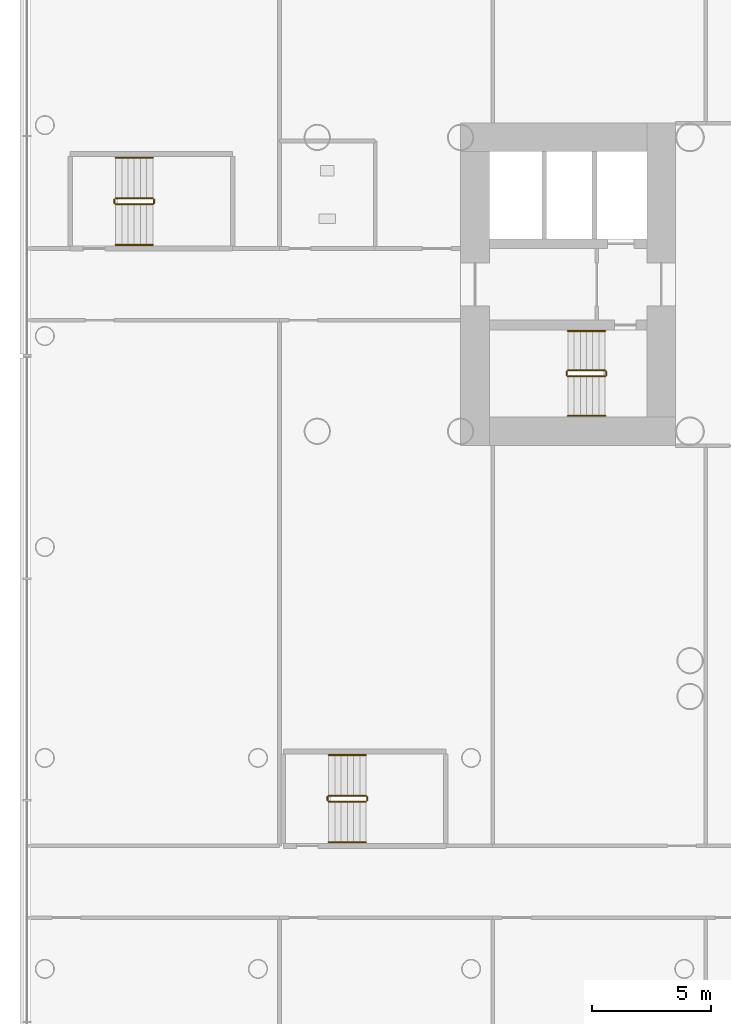
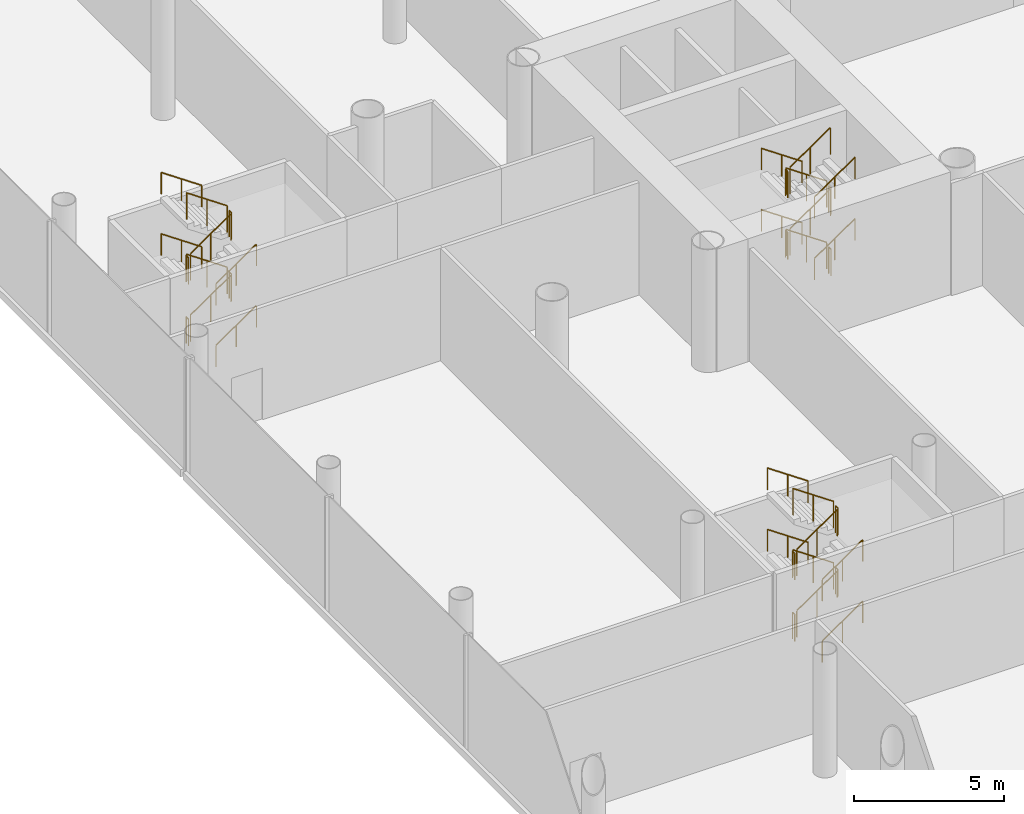
# One storey, part 50 of 59: 36 railings.
"""IFC4 building model written with IfcOpenShell, lengths in metres."""

from ifc_helpers import new_model, si_unit, direction, frame, origin, origin_2d, place, context, subcontext, project, spatial, circle, extrude, material, type_object, element, save


model = new_model("IFC4")

# Units and contexts
model_context = context("Model", 3, precision=1e-05, world=origin(), true_north=direction((0.0, 1.0)))
body_context = subcontext(model_context, "Body", "Model", "MODEL_VIEW")
ifc_project = project(units=[si_unit("LENGTHUNIT", "METRE"), si_unit("AREAUNIT", "SQUARE_METRE"), si_unit("VOLUMEUNIT", "CUBIC_METRE"), si_unit("PLANEANGLEUNIT", "RADIAN"), si_unit("MASSUNIT", "GRAM", prefix="KILO")], contexts=[model_context])

# Site, building, storey
site_placement = place(None, origin())
site = spatial("IfcSite", under=ifc_project, at=site_placement, CompositionType="ELEMENT")
building_placement = place(site_placement, origin())
building = spatial("IfcBuilding", under=site, at=building_placement, Name="Ipe Terrace Towers", CompositionType="ELEMENT")
storey_placement = place(building_placement, frame((0.0, 0.0, 6.0)))
storey = spatial("IfcBuildingStorey", under=building, at=storey_placement, Name="L01", CompositionType="ELEMENT", Elevation=6.0)

# Railings
ifc_material_1 = material(Name="Steel S355", Category="steel")
railing_type_1 = type_object("IfcRailingType", Name="Stair guard 1100", PredefinedType="GUARDRAIL", material=ifc_material_1)
railing_1_placement = place(storey_placement, frame((-45.699951171875, -3.60009765625, 0.178466796875)))
element("IfcRailing", 1, at=railing_1_placement, inside=storey, type_object=railing_type_1, Name="L01 T1-ST2 stair guard 1", PredefinedType="GUARDRAIL", context=body_context, shape_type="SweptSolid", body=[
    extrude(circle(Radius=0.02392578125, at=origin_2d()), frame((0.0, 0.0, 1.076171875), z_axis=(-0.82429025813, 0.0, 0.566167440208), x_axis=(0.0, -1.0, 0.0)), (0.0, 0.0, 1.0), 1.892578125),
    extrude(circle(Radius=0.02099609375, at=origin_2d()), origin(), (0.0, 0.0, 1.0), 1.052001953125),
    extrude(circle(Radius=0.02099609375, at=origin_2d()), frame((-0.780029296875, 0.0, 0.53564453125)), (0.0, 0.0, 1.0), 1.052001953125),
    extrude(circle(Radius=0.02099609375, at=origin_2d()), frame((-1.56005859375, 0.0, 1.071533203125)), (0.0, 0.0, 1.0), 1.052001953125),
])
railing_2_placement = place(storey_placement, frame((-47.31005859375, -3.64990234375, 1.25)))
element("IfcRailing", 2, at=railing_2_placement, inside=storey, type_object=railing_type_1, Name="L01 T1-ST2 stair guard 2", PredefinedType="GUARDRAIL", context=body_context, shape_type="SweptSolid", body=[
    extrude(circle(Radius=0.02392578125, at=origin_2d()), frame((0.0, 0.0, 1.076171875), z_axis=(0.0, -1.0, 0.0), x_axis=(1.0, 0.0, 0.0)), (0.0, 0.0, 1.0), 0.150146484375),
    extrude(circle(Radius=0.02099609375, at=origin_2d()), origin(), (0.0, 0.0, 1.0), 1.052001953125),
    extrude(circle(Radius=0.02099609375, at=origin_2d()), frame((0.0, -0.150146484375, 0.0)), (0.0, 0.0, 1.0), 1.052001953125),
])
railing_3_placement = place(storey_placement, frame((-47.260009765625, -3.85009765625, 1.428466796875)))
element("IfcRailing", 3, at=railing_3_placement, inside=storey, type_object=railing_type_1, Name="L01 T1-ST2 stair guard 3", PredefinedType="GUARDRAIL", context=body_context, shape_type="SweptSolid", body=[
    extrude(circle(Radius=0.02392578125, at=origin_2d()), frame((0.0, 0.0, 1.076171875), z_axis=(0.82429025813, 0.0, 0.566167440208), x_axis=(0.0, 1.0, 0.0)), (0.0, 0.0, 1.0), 1.892578125),
    extrude(circle(Radius=0.02099609375, at=origin_2d()), origin(), (0.0, 0.0, 1.0), 1.052001953125),
    extrude(circle(Radius=0.02099609375, at=origin_2d()), frame((0.780029296875, 0.0, 0.53564453125)), (0.0, 0.0, 1.0), 1.052001953125),
    extrude(circle(Radius=0.02099609375, at=origin_2d()), frame((1.56005859375, 0.0, 1.071533203125)), (0.0, 0.0, 1.0), 1.052001953125),
])
railing_4_placement = place(storey_placement, frame((-45.64990234375, -3.64990234375, 2.5)))
element("IfcRailing", 4, at=railing_4_placement, inside=storey, type_object=railing_type_1, Name="L01 T1-ST2 stair guard 4", PredefinedType="GUARDRAIL", context=body_context, shape_type="SweptSolid", body=[
    extrude(circle(Radius=0.02392578125, at=origin_2d()), frame((0.0, 0.0, 1.076171875), z_axis=(0.0, -1.0, 0.0), x_axis=(1.0, 0.0, 0.0)), (0.0, 0.0, 1.0), 0.150146484375),
    extrude(circle(Radius=0.02099609375, at=origin_2d()), origin(), (0.0, 0.0, 1.0), 1.052001953125),
    extrude(circle(Radius=0.02099609375, at=origin_2d()), frame((0.0, -0.150146484375, 0.0)), (0.0, 0.0, 1.0), 1.052001953125),
])
railing_5_placement = place(storey_placement, frame((-45.699951171875, -3.60009765625, 2.678466796875)))
element("IfcRailing", 5, at=railing_5_placement, inside=storey, type_object=railing_type_1, Name="L01 T1-ST2 stair guard 5", PredefinedType="GUARDRAIL", context=body_context, shape_type="SweptSolid", body=[
    extrude(circle(Radius=0.02392578125, at=origin_2d()), frame((0.0, 0.0, 1.076171875), z_axis=(-0.82429025813, 0.0, 0.566167440208), x_axis=(0.0, -1.0, 0.0)), (0.0, 0.0, 1.0), 1.892578125),
    extrude(circle(Radius=0.02099609375, at=origin_2d()), origin(), (0.0, 0.0, 1.0), 1.052001953125),
    extrude(circle(Radius=0.02099609375, at=origin_2d()), frame((-0.780029296875, 0.0, 0.53564453125)), (0.0, 0.0, 1.0), 1.052001953125),
    extrude(circle(Radius=0.02099609375, at=origin_2d()), frame((-1.56005859375, 0.0, 1.071533203125)), (0.0, 0.0, 1.0), 1.052001953125),
])
railing_6_placement = place(storey_placement, frame((-47.31005859375, -3.64990234375, 3.75)))
element("IfcRailing", 6, at=railing_6_placement, inside=storey, type_object=railing_type_1, Name="L01 T1-ST2 stair guard 6", PredefinedType="GUARDRAIL", context=body_context, shape_type="SweptSolid", body=[
    extrude(circle(Radius=0.02392578125, at=origin_2d()), frame((0.0, 0.0, 1.076171875), z_axis=(0.0, -1.0, 0.0), x_axis=(1.0, 0.0, 0.0)), (0.0, 0.0, 1.0), 0.150146484375),
    extrude(circle(Radius=0.02099609375, at=origin_2d()), origin(), (0.0, 0.0, 1.0), 1.052001953125),
    extrude(circle(Radius=0.02099609375, at=origin_2d()), frame((0.0, -0.150146484375, 0.0)), (0.0, 0.0, 1.0), 1.052001953125),
])
railing_7_placement = place(storey_placement, frame((-47.260009765625, -3.85009765625, 3.928466796875)))
element("IfcRailing", 7, at=railing_7_placement, inside=storey, type_object=railing_type_1, Name="L01 T1-ST2 stair guard 7", PredefinedType="GUARDRAIL", context=body_context, shape_type="SweptSolid", body=[
    extrude(circle(Radius=0.02392578125, at=origin_2d()), frame((0.0, 0.0, 1.076171875), z_axis=(0.82429025813, 0.0, 0.566167440208), x_axis=(0.0, 1.0, 0.0)), (0.0, 0.0, 1.0), 1.892578125),
    extrude(circle(Radius=0.02099609375, at=origin_2d()), origin(), (0.0, 0.0, 1.0), 1.052001953125),
    extrude(circle(Radius=0.02099609375, at=origin_2d()), frame((0.780029296875, 0.0, 0.53564453125)), (0.0, 0.0, 1.0), 1.052001953125),
    extrude(circle(Radius=0.02099609375, at=origin_2d()), frame((1.56005859375, 0.0, 1.071533203125)), (0.0, 0.0, 1.0), 1.052001953125),
])
railing_8_placement = place(storey_placement, frame((-45.64990234375, -3.64990234375, 0.0)))
element("IfcRailing", 8, at=railing_8_placement, inside=storey, type_object=railing_type_1, Name="L01 T1-ST2 stair guard 8", PredefinedType="GUARDRAIL", context=body_context, shape_type="SweptSolid", body=[
    extrude(circle(Radius=0.02392578125, at=origin_2d()), frame((0.0, 0.0, 1.076171875), z_axis=(0.0, -1.0, 0.0), x_axis=(1.0, 0.0, 0.0)), (0.0, 0.0, 1.0), 0.150146484375),
    extrude(circle(Radius=0.02099609375, at=origin_2d()), origin(), (0.0, 0.0, 1.0), 1.052001953125),
    extrude(circle(Radius=0.02099609375, at=origin_2d()), frame((0.0, -0.150146484375, 0.0)), (0.0, 0.0, 1.0), 1.052001953125),
])
railing_9_placement = place(storey_placement, frame((-57.27001953125, -21.64990234375, 0.178466796875)))
element("IfcRailing", 9, at=railing_9_placement, inside=storey, type_object=railing_type_1, Name="L01 PS4 stair guard 1", PredefinedType="GUARDRAIL", context=body_context, shape_type="SweptSolid", body=[
    extrude(circle(Radius=0.02392578125, at=origin_2d()), frame((0.0, 0.0, 1.076171875), z_axis=(0.82429025813, 0.0, 0.566167440208), x_axis=(0.0, 1.0, 0.0)), (0.0, 0.0, 1.0), 1.892578125),
    extrude(circle(Radius=0.02099609375, at=origin_2d()), origin(), (0.0, 0.0, 1.0), 1.052001953125),
    extrude(circle(Radius=0.02099609375, at=origin_2d()), frame((0.780029296875, 0.0, 0.53564453125)), (0.0, 0.0, 1.0), 1.052001953125),
    extrude(circle(Radius=0.02099609375, at=origin_2d()), frame((1.56005859375, 0.0, 1.071533203125)), (0.0, 0.0, 1.0), 1.052001953125),
])
railing_10_placement = place(storey_placement, frame((-55.659912109375, -21.60009765625, 1.25)))
element("IfcRailing", 10, at=railing_10_placement, inside=storey, type_object=railing_type_1, Name="L01 PS4 stair guard 2", PredefinedType="GUARDRAIL", context=body_context, shape_type="SweptSolid", body=[
    extrude(circle(Radius=0.02392578125, at=origin_2d()), frame((0.0, 0.0, 1.076171875), z_axis=(0.0, 1.0, 0.0), x_axis=(-1.0, 0.0, 0.0)), (0.0, 0.0, 1.0), 0.150146484375),
    extrude(circle(Radius=0.02099609375, at=origin_2d()), origin(), (0.0, 0.0, 1.0), 1.052001953125),
    extrude(circle(Radius=0.02099609375, at=origin_2d()), frame((0.0, 0.150146484375, 0.0)), (0.0, 0.0, 1.0), 1.052001953125),
])
railing_11_placement = place(storey_placement, frame((-55.7099609375, -21.39990234375, 1.428466796875)))
element("IfcRailing", 11, at=railing_11_placement, inside=storey, type_object=railing_type_1, Name="L01 PS4 stair guard 3", PredefinedType="GUARDRAIL", context=body_context, shape_type="SweptSolid", body=[
    extrude(circle(Radius=0.02392578125, at=origin_2d()), frame((0.0, 0.0, 1.076171875), z_axis=(-0.82429025813, 0.0, 0.566167440208), x_axis=(0.0, -1.0, 0.0)), (0.0, 0.0, 1.0), 1.892578125),
    extrude(circle(Radius=0.02099609375, at=origin_2d()), origin(), (0.0, 0.0, 1.0), 1.052001953125),
    extrude(circle(Radius=0.02099609375, at=origin_2d()), frame((-0.780029296875, 0.0, 0.53564453125)), (0.0, 0.0, 1.0), 1.052001953125),
    extrude(circle(Radius=0.02099609375, at=origin_2d()), frame((-1.56005859375, 0.0, 1.071533203125)), (0.0, 0.0, 1.0), 1.052001953125),
])
railing_12_placement = place(storey_placement, frame((-57.320068359375, -21.60009765625, 2.5)))
element("IfcRailing", 12, at=railing_12_placement, inside=storey, type_object=railing_type_1, Name="L01 PS4 stair guard 4", PredefinedType="GUARDRAIL", context=body_context, shape_type="SweptSolid", body=[
    extrude(circle(Radius=0.02392578125, at=origin_2d()), frame((0.0, 0.0, 1.076171875), z_axis=(0.0, 1.0, 0.0), x_axis=(-1.0, 0.0, 0.0)), (0.0, 0.0, 1.0), 0.150146484375),
    extrude(circle(Radius=0.02099609375, at=origin_2d()), origin(), (0.0, 0.0, 1.0), 1.052001953125),
    extrude(circle(Radius=0.02099609375, at=origin_2d()), frame((0.0, 0.150146484375, 0.0)), (0.0, 0.0, 1.0), 1.052001953125),
])
railing_13_placement = place(storey_placement, frame((-57.27001953125, -21.64990234375, 2.678466796875)))
element("IfcRailing", 13, at=railing_13_placement, inside=storey, type_object=railing_type_1, Name="L01 PS4 stair guard 5", PredefinedType="GUARDRAIL", context=body_context, shape_type="SweptSolid", body=[
    extrude(circle(Radius=0.02392578125, at=origin_2d()), frame((0.0, 0.0, 1.076171875), z_axis=(0.82429025813, 0.0, 0.566167440208), x_axis=(0.0, 1.0, 0.0)), (0.0, 0.0, 1.0), 1.892578125),
    extrude(circle(Radius=0.02099609375, at=origin_2d()), origin(), (0.0, 0.0, 1.0), 1.052001953125),
    extrude(circle(Radius=0.02099609375, at=origin_2d()), frame((0.780029296875, 0.0, 0.53564453125)), (0.0, 0.0, 1.0), 1.052001953125),
    extrude(circle(Radius=0.02099609375, at=origin_2d()), frame((1.56005859375, 0.0, 1.071533203125)), (0.0, 0.0, 1.0), 1.052001953125),
])
railing_14_placement = place(storey_placement, frame((-55.659912109375, -21.60009765625, 3.75)))
element("IfcRailing", 14, at=railing_14_placement, inside=storey, type_object=railing_type_1, Name="L01 PS4 stair guard 6", PredefinedType="GUARDRAIL", context=body_context, shape_type="SweptSolid", body=[
    extrude(circle(Radius=0.02392578125, at=origin_2d()), frame((0.0, 0.0, 1.076171875), z_axis=(0.0, 1.0, 0.0), x_axis=(-1.0, 0.0, 0.0)), (0.0, 0.0, 1.0), 0.150146484375),
    extrude(circle(Radius=0.02099609375, at=origin_2d()), origin(), (0.0, 0.0, 1.0), 1.052001953125),
    extrude(circle(Radius=0.02099609375, at=origin_2d()), frame((0.0, 0.150146484375, 0.0)), (0.0, 0.0, 1.0), 1.052001953125),
])
railing_15_placement = place(storey_placement, frame((-55.7099609375, -21.39990234375, 3.928466796875)))
element("IfcRailing", 15, at=railing_15_placement, inside=storey, type_object=railing_type_1, Name="L01 PS4 stair guard 7", PredefinedType="GUARDRAIL", context=body_context, shape_type="SweptSolid", body=[
    extrude(circle(Radius=0.02392578125, at=origin_2d()), frame((0.0, 0.0, 1.076171875), z_axis=(-0.82429025813, 0.0, 0.566167440208), x_axis=(0.0, -1.0, 0.0)), (0.0, 0.0, 1.0), 1.892578125),
    extrude(circle(Radius=0.02099609375, at=origin_2d()), origin(), (0.0, 0.0, 1.0), 1.052001953125),
    extrude(circle(Radius=0.02099609375, at=origin_2d()), frame((-0.780029296875, 0.0, 0.53564453125)), (0.0, 0.0, 1.0), 1.052001953125),
    extrude(circle(Radius=0.02099609375, at=origin_2d()), frame((-1.56005859375, 0.0, 1.071533203125)), (0.0, 0.0, 1.0), 1.052001953125),
])
railing_16_placement = place(storey_placement, frame((-57.320068359375, -21.60009765625, 0.0)))
element("IfcRailing", 16, at=railing_16_placement, inside=storey, type_object=railing_type_1, Name="L01 PS4 stair guard 8", PredefinedType="GUARDRAIL", context=body_context, shape_type="SweptSolid", body=[
    extrude(circle(Radius=0.02392578125, at=origin_2d()), frame((0.0, 0.0, 1.076171875), z_axis=(0.0, 1.0, 0.0), x_axis=(-1.0, 0.0, 0.0)), (0.0, 0.0, 1.0), 0.150146484375),
    extrude(circle(Radius=0.02099609375, at=origin_2d()), origin(), (0.0, 0.0, 1.0), 1.052001953125),
    extrude(circle(Radius=0.02099609375, at=origin_2d()), frame((0.0, 0.150146484375, 0.0)), (0.0, 0.0, 1.0), 1.052001953125),
])
railing_17_placement = place(storey_placement, frame((-66.18994140625, 3.35009765625, 0.178466796875)))
element("IfcRailing", 17, at=railing_17_placement, inside=storey, type_object=railing_type_1, Name="L01 PS7 stair guard 1", PredefinedType="GUARDRAIL", context=body_context, shape_type="SweptSolid", body=[
    extrude(circle(Radius=0.02392578125, at=origin_2d()), frame((0.0, 0.0, 1.076171875), z_axis=(0.82429025813, 0.0, 0.566167440208), x_axis=(0.0, 1.0, 0.0)), (0.0, 0.0, 1.0), 1.892578125),
    extrude(circle(Radius=0.02099609375, at=origin_2d()), origin(), (0.0, 0.0, 1.0), 1.052001953125),
    extrude(circle(Radius=0.02099609375, at=origin_2d()), frame((0.780029296875, 0.0, 0.53564453125)), (0.0, 0.0, 1.0), 1.052001953125),
    extrude(circle(Radius=0.02099609375, at=origin_2d()), frame((1.56005859375, 0.0, 1.071533203125)), (0.0, 0.0, 1.0), 1.052001953125),
])
railing_18_placement = place(storey_placement, frame((-64.580078125, 3.39990234375, 1.25)))
element("IfcRailing", 18, at=railing_18_placement, inside=storey, type_object=railing_type_1, Name="L01 PS7 stair guard 2", PredefinedType="GUARDRAIL", context=body_context, shape_type="SweptSolid", body=[
    extrude(circle(Radius=0.02392578125, at=origin_2d()), frame((0.0, 0.0, 1.076171875), z_axis=(0.0, 1.0, 0.0), x_axis=(-1.0, 0.0, 0.0)), (0.0, 0.0, 1.0), 0.150146484375),
    extrude(circle(Radius=0.02099609375, at=origin_2d()), origin(), (0.0, 0.0, 1.0), 1.052001953125),
    extrude(circle(Radius=0.02099609375, at=origin_2d()), frame((0.0, 0.150146484375, 0.0)), (0.0, 0.0, 1.0), 1.052001953125),
])
railing_19_placement = place(storey_placement, frame((-64.6298828125, 3.60009765625, 1.428466796875)))
element("IfcRailing", 19, at=railing_19_placement, inside=storey, type_object=railing_type_1, Name="L01 PS7 stair guard 3", PredefinedType="GUARDRAIL", context=body_context, shape_type="SweptSolid", body=[
    extrude(circle(Radius=0.02392578125, at=origin_2d()), frame((0.0, 0.0, 1.076171875), z_axis=(-0.82429025813, 0.0, 0.566167440208), x_axis=(0.0, -1.0, 0.0)), (0.0, 0.0, 1.0), 1.892578125),
    extrude(circle(Radius=0.02099609375, at=origin_2d()), origin(), (0.0, 0.0, 1.0), 1.052001953125),
    extrude(circle(Radius=0.02099609375, at=origin_2d()), frame((-0.780029296875, 0.0, 0.53564453125)), (0.0, 0.0, 1.0), 1.052001953125),
    extrude(circle(Radius=0.02099609375, at=origin_2d()), frame((-1.56005859375, 0.0, 1.071533203125)), (0.0, 0.0, 1.0), 1.052001953125),
])
railing_20_placement = place(storey_placement, frame((-66.239990234375, 3.39990234375, 2.5)))
element("IfcRailing", 20, at=railing_20_placement, inside=storey, type_object=railing_type_1, Name="L01 PS7 stair guard 4", PredefinedType="GUARDRAIL", context=body_context, shape_type="SweptSolid", body=[
    extrude(circle(Radius=0.02392578125, at=origin_2d()), frame((0.0, 0.0, 1.076171875), z_axis=(0.0, 1.0, 0.0), x_axis=(-1.0, 0.0, 0.0)), (0.0, 0.0, 1.0), 0.150146484375),
    extrude(circle(Radius=0.02099609375, at=origin_2d()), origin(), (0.0, 0.0, 1.0), 1.052001953125),
    extrude(circle(Radius=0.02099609375, at=origin_2d()), frame((0.0, 0.150146484375, 0.0)), (0.0, 0.0, 1.0), 1.052001953125),
])
railing_21_placement = place(storey_placement, frame((-66.18994140625, 3.35009765625, 2.678466796875)))
element("IfcRailing", 21, at=railing_21_placement, inside=storey, type_object=railing_type_1, Name="L01 PS7 stair guard 5", PredefinedType="GUARDRAIL", context=body_context, shape_type="SweptSolid", body=[
    extrude(circle(Radius=0.02392578125, at=origin_2d()), frame((0.0, 0.0, 1.076171875), z_axis=(0.82429025813, 0.0, 0.566167440208), x_axis=(0.0, 1.0, 0.0)), (0.0, 0.0, 1.0), 1.892578125),
    extrude(circle(Radius=0.02099609375, at=origin_2d()), origin(), (0.0, 0.0, 1.0), 1.052001953125),
    extrude(circle(Radius=0.02099609375, at=origin_2d()), frame((0.780029296875, 0.0, 0.53564453125)), (0.0, 0.0, 1.0), 1.052001953125),
    extrude(circle(Radius=0.02099609375, at=origin_2d()), frame((1.56005859375, 0.0, 1.071533203125)), (0.0, 0.0, 1.0), 1.052001953125),
])
railing_22_placement = place(storey_placement, frame((-64.580078125, 3.39990234375, 3.75)))
element("IfcRailing", 22, at=railing_22_placement, inside=storey, type_object=railing_type_1, Name="L01 PS7 stair guard 6", PredefinedType="GUARDRAIL", context=body_context, shape_type="SweptSolid", body=[
    extrude(circle(Radius=0.02392578125, at=origin_2d()), frame((0.0, 0.0, 1.076171875), z_axis=(0.0, 1.0, 0.0), x_axis=(-1.0, 0.0, 0.0)), (0.0, 0.0, 1.0), 0.150146484375),
    extrude(circle(Radius=0.02099609375, at=origin_2d()), origin(), (0.0, 0.0, 1.0), 1.052001953125),
    extrude(circle(Radius=0.02099609375, at=origin_2d()), frame((0.0, 0.150146484375, 0.0)), (0.0, 0.0, 1.0), 1.052001953125),
])
railing_23_placement = place(storey_placement, frame((-64.6298828125, 3.60009765625, 3.928466796875)))
element("IfcRailing", 23, at=railing_23_placement, inside=storey, type_object=railing_type_1, Name="L01 PS7 stair guard 7", PredefinedType="GUARDRAIL", context=body_context, shape_type="SweptSolid", body=[
    extrude(circle(Radius=0.02392578125, at=origin_2d()), frame((0.0, 0.0, 1.076171875), z_axis=(-0.82429025813, 0.0, 0.566167440208), x_axis=(0.0, -1.0, 0.0)), (0.0, 0.0, 1.0), 1.892578125),
    extrude(circle(Radius=0.02099609375, at=origin_2d()), origin(), (0.0, 0.0, 1.0), 1.052001953125),
    extrude(circle(Radius=0.02099609375, at=origin_2d()), frame((-0.780029296875, 0.0, 0.53564453125)), (0.0, 0.0, 1.0), 1.052001953125),
    extrude(circle(Radius=0.02099609375, at=origin_2d()), frame((-1.56005859375, 0.0, 1.071533203125)), (0.0, 0.0, 1.0), 1.052001953125),
])
railing_24_placement = place(storey_placement, frame((-66.239990234375, 3.39990234375, 0.0)))
element("IfcRailing", 24, at=railing_24_placement, inside=storey, type_object=railing_type_1, Name="L01 PS7 stair guard 8", PredefinedType="GUARDRAIL", context=body_context, shape_type="SweptSolid", body=[
    extrude(circle(Radius=0.02392578125, at=origin_2d()), frame((0.0, 0.0, 1.076171875), z_axis=(0.0, 1.0, 0.0), x_axis=(-1.0, 0.0, 0.0)), (0.0, 0.0, 1.0), 0.150146484375),
    extrude(circle(Radius=0.02099609375, at=origin_2d()), origin(), (0.0, 0.0, 1.0), 1.052001953125),
    extrude(circle(Radius=0.02099609375, at=origin_2d()), frame((0.0, 0.150146484375, 0.0)), (0.0, 0.0, 1.0), 1.052001953125),
])
ifc_material_2 = material(Name="Stainless steel grade 304", Category="steel")
railing_type_2 = type_object("IfcRailingType", Name="Stair handrail 900", PredefinedType="HANDRAIL", material=ifc_material_2)
railing_25_placement = place(storey_placement, frame((-45.699951171875, -1.949951171875, 0.178466796875)))
element("IfcRailing", 25, at=railing_25_placement, inside=storey, type_object=railing_type_2, Name="L01 T1-ST2 stair handrail 1", PredefinedType="HANDRAIL", context=body_context, shape_type="SweptSolid", body=[
    extrude(circle(Radius=0.02392578125, at=origin_2d()), frame((0.0, 0.0, 0.8759765625), z_axis=(-0.82429025813, 0.0, 0.566167440208), x_axis=(0.0, -1.0, 0.0)), (0.0, 0.0, 1.0), 1.892578125),
    extrude(circle(Radius=0.02099609375, at=origin_2d()), origin(), (0.0, 0.0, 1.0), 0.851806640625),
    extrude(circle(Radius=0.02099609375, at=origin_2d()), frame((-0.780029296875, 0.0, 0.53564453125)), (0.0, 0.0, 1.0), 0.851806640625),
    extrude(circle(Radius=0.02099609375, at=origin_2d()), frame((-1.56005859375, 0.0, 1.071533203125)), (0.0, 0.0, 1.0), 0.851806640625),
])
railing_26_placement = place(storey_placement, frame((-47.260009765625, -5.5, 1.428466796875)))
element("IfcRailing", 26, at=railing_26_placement, inside=storey, type_object=railing_type_2, Name="L01 T1-ST2 stair handrail 2", PredefinedType="HANDRAIL", context=body_context, shape_type="SweptSolid", body=[
    extrude(circle(Radius=0.02392578125, at=origin_2d()), frame((0.0, 0.0, 0.8759765625), z_axis=(0.82429025813, 0.0, 0.566167440208), x_axis=(0.0, 1.0, 0.0)), (0.0, 0.0, 1.0), 1.892578125),
    extrude(circle(Radius=0.02099609375, at=origin_2d()), origin(), (0.0, 0.0, 1.0), 0.851806640625),
    extrude(circle(Radius=0.02099609375, at=origin_2d()), frame((0.780029296875, 0.0, 0.53564453125)), (0.0, 0.0, 1.0), 0.851806640625),
    extrude(circle(Radius=0.02099609375, at=origin_2d()), frame((1.56005859375, 0.0, 1.071533203125)), (0.0, 0.0, 1.0), 0.851806640625),
])
railing_27_placement = place(storey_placement, frame((-45.699951171875, -1.949951171875, 2.678466796875)))
element("IfcRailing", 27, at=railing_27_placement, inside=storey, type_object=railing_type_2, Name="L01 T1-ST2 stair handrail 3", PredefinedType="HANDRAIL", context=body_context, shape_type="SweptSolid", body=[
    extrude(circle(Radius=0.02392578125, at=origin_2d()), frame((0.0, 0.0, 0.8759765625), z_axis=(-0.82429025813, 0.0, 0.566167440208), x_axis=(0.0, -1.0, 0.0)), (0.0, 0.0, 1.0), 1.892578125),
    extrude(circle(Radius=0.02099609375, at=origin_2d()), origin(), (0.0, 0.0, 1.0), 0.851806640625),
    extrude(circle(Radius=0.02099609375, at=origin_2d()), frame((-0.780029296875, 0.0, 0.53564453125)), (0.0, 0.0, 1.0), 0.851806640625),
    extrude(circle(Radius=0.02099609375, at=origin_2d()), frame((-1.56005859375, 0.0, 1.071533203125)), (0.0, 0.0, 1.0), 0.851806640625),
])
for number, where, name in (
    (28, (-47.260009765625, -5.5, 3.928466796875), "L01 T1-ST2 stair handrail 4"),
    (29, (-57.27001953125, -23.35009765625, 0.178466796875), "L01 PS4 stair handrail 1"),
):
    element("IfcRailing", number, at=place(storey_placement, frame(where)), inside=storey, type_object=railing_type_2, Name=name, PredefinedType="HANDRAIL", context=body_context, shape_type="SweptSolid", body=[
        extrude(circle(Radius=0.02392578125, at=origin_2d()), frame((0.0, 0.0, 0.8759765625), z_axis=(0.82429025813, 0.0, 0.566167440208), x_axis=(0.0, 1.0, 0.0)), (0.0, 0.0, 1.0), 1.892578125),
        extrude(circle(Radius=0.02099609375, at=origin_2d()), origin(), (0.0, 0.0, 1.0), 0.851806640625),
        extrude(circle(Radius=0.02099609375, at=origin_2d()), frame((0.780029296875, 0.0, 0.53564453125)), (0.0, 0.0, 1.0), 0.851806640625),
        extrude(circle(Radius=0.02099609375, at=origin_2d()), frame((1.56005859375, 0.0, 1.071533203125)), (0.0, 0.0, 1.0), 0.851806640625),
    ])
railing_28_placement = place(storey_placement, frame((-55.7099609375, -19.699951171875, 1.428466796875)))
element("IfcRailing", 30, at=railing_28_placement, inside=storey, type_object=railing_type_2, Name="L01 PS4 stair handrail 2", PredefinedType="HANDRAIL", context=body_context, shape_type="SweptSolid", body=[
    extrude(circle(Radius=0.02392578125, at=origin_2d()), frame((0.0, 0.0, 0.8759765625), z_axis=(-0.82429025813, 0.0, 0.566167440208), x_axis=(0.0, -1.0, 0.0)), (0.0, 0.0, 1.0), 1.892578125),
    extrude(circle(Radius=0.02099609375, at=origin_2d()), origin(), (0.0, 0.0, 1.0), 0.851806640625),
    extrude(circle(Radius=0.02099609375, at=origin_2d()), frame((-0.780029296875, 0.0, 0.53564453125)), (0.0, 0.0, 1.0), 0.851806640625),
    extrude(circle(Radius=0.02099609375, at=origin_2d()), frame((-1.56005859375, 0.0, 1.071533203125)), (0.0, 0.0, 1.0), 0.851806640625),
])
railing_29_placement = place(storey_placement, frame((-57.27001953125, -23.35009765625, 2.678466796875)))
element("IfcRailing", 31, at=railing_29_placement, inside=storey, type_object=railing_type_2, Name="L01 PS4 stair handrail 3", PredefinedType="HANDRAIL", context=body_context, shape_type="SweptSolid", body=[
    extrude(circle(Radius=0.02392578125, at=origin_2d()), frame((0.0, 0.0, 0.8759765625), z_axis=(0.82429025813, 0.0, 0.566167440208), x_axis=(0.0, 1.0, 0.0)), (0.0, 0.0, 1.0), 1.892578125),
    extrude(circle(Radius=0.02099609375, at=origin_2d()), origin(), (0.0, 0.0, 1.0), 0.851806640625),
    extrude(circle(Radius=0.02099609375, at=origin_2d()), frame((0.780029296875, 0.0, 0.53564453125)), (0.0, 0.0, 1.0), 0.851806640625),
    extrude(circle(Radius=0.02099609375, at=origin_2d()), frame((1.56005859375, 0.0, 1.071533203125)), (0.0, 0.0, 1.0), 0.851806640625),
])
railing_30_placement = place(storey_placement, frame((-55.7099609375, -19.699951171875, 3.928466796875)))
element("IfcRailing", 32, at=railing_30_placement, inside=storey, type_object=railing_type_2, Name="L01 PS4 stair handrail 4", PredefinedType="HANDRAIL", context=body_context, shape_type="SweptSolid", body=[
    extrude(circle(Radius=0.02392578125, at=origin_2d()), frame((0.0, 0.0, 0.8759765625), z_axis=(-0.82429025813, 0.0, 0.566167440208), x_axis=(0.0, -1.0, 0.0)), (0.0, 0.0, 1.0), 1.892578125),
    extrude(circle(Radius=0.02099609375, at=origin_2d()), origin(), (0.0, 0.0, 1.0), 0.851806640625),
    extrude(circle(Radius=0.02099609375, at=origin_2d()), frame((-0.780029296875, 0.0, 0.53564453125)), (0.0, 0.0, 1.0), 0.851806640625),
    extrude(circle(Radius=0.02099609375, at=origin_2d()), frame((-1.56005859375, 0.0, 1.071533203125)), (0.0, 0.0, 1.0), 0.851806640625),
])
railing_31_placement = place(storey_placement, frame((-66.18994140625, 1.64990234375, 0.178466796875)))
element("IfcRailing", 33, at=railing_31_placement, inside=storey, type_object=railing_type_2, Name="L01 PS7 stair handrail 1", PredefinedType="HANDRAIL", context=body_context, shape_type="SweptSolid", body=[
    extrude(circle(Radius=0.02392578125, at=origin_2d()), frame((0.0, 0.0, 0.8759765625), z_axis=(0.82429025813, 0.0, 0.566167440208), x_axis=(0.0, 1.0, 0.0)), (0.0, 0.0, 1.0), 1.892578125),
    extrude(circle(Radius=0.02099609375, at=origin_2d()), origin(), (0.0, 0.0, 1.0), 0.851806640625),
    extrude(circle(Radius=0.02099609375, at=origin_2d()), frame((0.780029296875, 0.0, 0.53564453125)), (0.0, 0.0, 1.0), 0.851806640625),
    extrude(circle(Radius=0.02099609375, at=origin_2d()), frame((1.56005859375, 0.0, 1.071533203125)), (0.0, 0.0, 1.0), 0.851806640625),
])
railing_32_placement = place(storey_placement, frame((-64.6298828125, 5.300048828125, 1.428466796875)))
element("IfcRailing", 34, at=railing_32_placement, inside=storey, type_object=railing_type_2, Name="L01 PS7 stair handrail 2", PredefinedType="HANDRAIL", context=body_context, shape_type="SweptSolid", body=[
    extrude(circle(Radius=0.02392578125, at=origin_2d()), frame((0.0, 0.0, 0.8759765625), z_axis=(-0.82429025813, 0.0, 0.566167440208), x_axis=(0.0, -1.0, 0.0)), (0.0, 0.0, 1.0), 1.892578125),
    extrude(circle(Radius=0.02099609375, at=origin_2d()), origin(), (0.0, 0.0, 1.0), 0.851806640625),
    extrude(circle(Radius=0.02099609375, at=origin_2d()), frame((-0.780029296875, 0.0, 0.53564453125)), (0.0, 0.0, 1.0), 0.851806640625),
    extrude(circle(Radius=0.02099609375, at=origin_2d()), frame((-1.56005859375, 0.0, 1.071533203125)), (0.0, 0.0, 1.0), 0.851806640625),
])
railing_33_placement = place(storey_placement, frame((-66.18994140625, 1.64990234375, 2.678466796875)))
element("IfcRailing", 35, at=railing_33_placement, inside=storey, type_object=railing_type_2, Name="L01 PS7 stair handrail 3", PredefinedType="HANDRAIL", context=body_context, shape_type="SweptSolid", body=[
    extrude(circle(Radius=0.02392578125, at=origin_2d()), frame((0.0, 0.0, 0.8759765625), z_axis=(0.82429025813, 0.0, 0.566167440208), x_axis=(0.0, 1.0, 0.0)), (0.0, 0.0, 1.0), 1.892578125),
    extrude(circle(Radius=0.02099609375, at=origin_2d()), origin(), (0.0, 0.0, 1.0), 0.851806640625),
    extrude(circle(Radius=0.02099609375, at=origin_2d()), frame((0.780029296875, 0.0, 0.53564453125)), (0.0, 0.0, 1.0), 0.851806640625),
    extrude(circle(Radius=0.02099609375, at=origin_2d()), frame((1.56005859375, 0.0, 1.071533203125)), (0.0, 0.0, 1.0), 0.851806640625),
])
railing_34_placement = place(storey_placement, frame((-64.6298828125, 5.300048828125, 3.928466796875)))
element("IfcRailing", 36, at=railing_34_placement, inside=storey, type_object=railing_type_2, Name="L01 PS7 stair handrail 4", PredefinedType="HANDRAIL", context=body_context, shape_type="SweptSolid", body=[
    extrude(circle(Radius=0.02392578125, at=origin_2d()), frame((0.0, 0.0, 0.8759765625), z_axis=(-0.82429025813, 0.0, 0.566167440208), x_axis=(0.0, -1.0, 0.0)), (0.0, 0.0, 1.0), 1.892578125),
    extrude(circle(Radius=0.02099609375, at=origin_2d()), origin(), (0.0, 0.0, 1.0), 0.851806640625),
    extrude(circle(Radius=0.02099609375, at=origin_2d()), frame((-0.780029296875, 0.0, 0.53564453125)), (0.0, 0.0, 1.0), 0.851806640625),
    extrude(circle(Radius=0.02099609375, at=origin_2d()), frame((-1.56005859375, 0.0, 1.071533203125)), (0.0, 0.0, 1.0), 0.851806640625),
])

save(model, "model.ifc")
